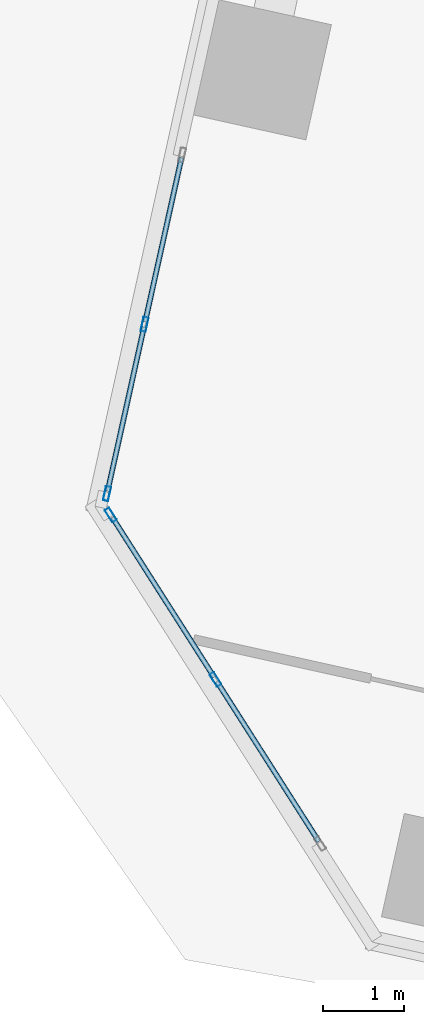
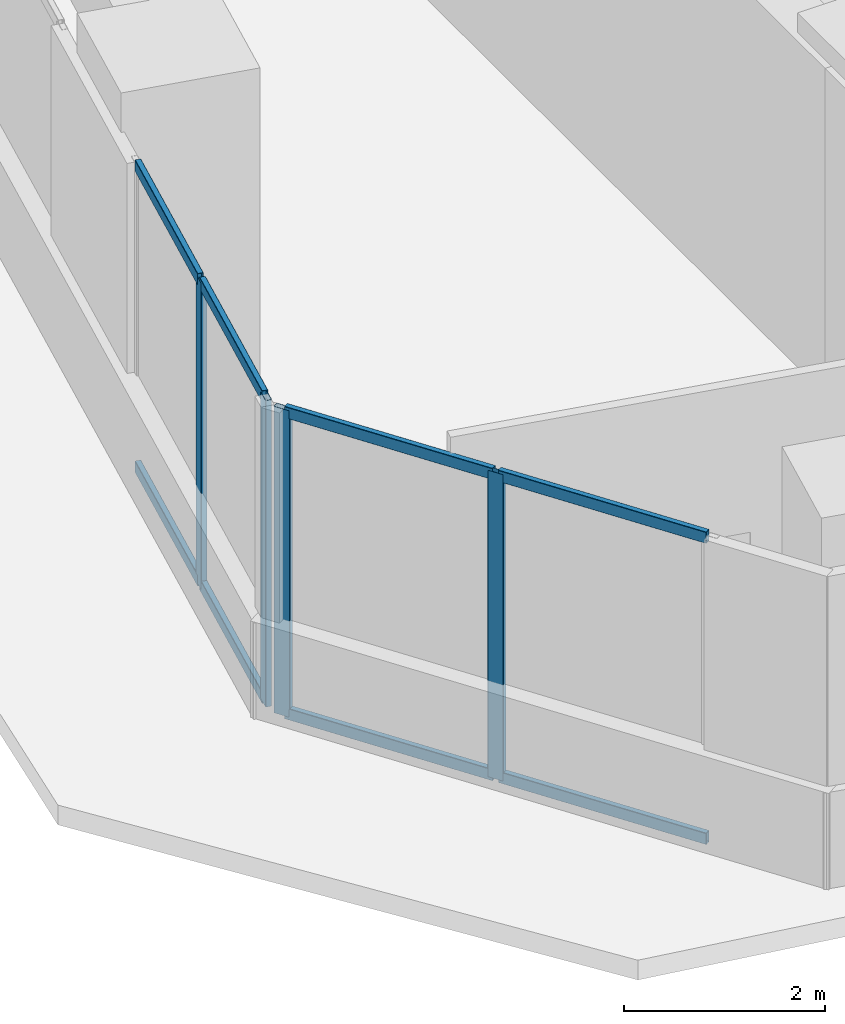
# One storey, part 3 of 25: 12 members, 2 elements without a shape of their own.
"""IFC4 building model written with IfcOpenShell, lengths in metres."""

from ifc_helpers import new_model, si_unit, direction, frame, origin, origin_2d, place, context, subcontext, project, spatial, hollow_rectangle, extrude, source, transform, mapped, material, material_profile, profile_set, type_object, element, aggregate, save


model = new_model("IFC4")

# Units and contexts
model_context = context("Model", 3, precision=1e-05, world=origin(), true_north=direction((0.0, 1.0)))
body_context = subcontext(model_context, "Body", "Model", "MODEL_VIEW")
ifc_project = project(units=[si_unit("LENGTHUNIT", "METRE"), si_unit("AREAUNIT", "SQUARE_METRE"), si_unit("VOLUMEUNIT", "CUBIC_METRE"), si_unit("PLANEANGLEUNIT", "RADIAN"), si_unit("MASSUNIT", "GRAM", prefix="KILO")], contexts=[model_context])

# Site, building, storey
site_placement = place(None, origin())
site = spatial("IfcSite", under=ifc_project, at=site_placement, CompositionType="ELEMENT")
building_placement = place(site_placement, origin())
building = spatial("IfcBuilding", under=site, at=building_placement, Name="Torre Montelarca", CompositionType="ELEMENT")
storey_placement = place(building_placement, frame((0.0, 0.0, 87.39990234375)))
storey = spatial("IfcBuildingStorey", under=building, at=storey_placement, Name="L19", CompositionType="ELEMENT", Elevation=87.39990234375)

# Curtain wall, members
ifc_material_1 = material(Name="Insulated low-E laminated glass", Category="glass")
curtain_wall_type = type_object("IfcCurtainWallType", Name="CW-SYS-Z1", PredefinedType="USERDEFINED", material=ifc_material_1)
curtain_wall_1_placement = place(storey_placement, origin())
curtain_wall_1 = element("IfcCurtainWall", 1, at=curtain_wall_1_placement, inside=storey, type_object=curtain_wall_type, Name="L19 Curtain Wall Run CW-T3-L19-E10-B3", ObjectType="UNITISED GLAZING", PredefinedType="USERDEFINED")
ifc_material_2 = material(Name="Anodised aluminium AA 6063-T6", Category="aluminium")
ifc_material_profile_1 = material_profile(ifc_material_2, hollow_rectangle(XDim=0.06494140625, YDim=0.139892578125, WallThickness=0.00390625, InnerFilletRadius=0.00390625, OuterFilletRadius=0.008056640625, at=origin_2d()), Name="ALU65X140X4", Category="aluminium")
ifc_profile_set_1 = profile_set([ifc_material_profile_1], Name="Anodised aluminium AA 6063-T6")
member_type_1 = type_object("IfcMemberType", Name="CWT-ALU140", PredefinedType="USERDEFINED", material=ifc_profile_set_1)
shared_shape_1 = source(origin(), body_context, "Body", "SweptSolid", [
    extrude(hollow_rectangle(XDim=0.06494140625, YDim=0.139892578125, WallThickness=0.00390625, InnerFilletRadius=0.00390625, OuterFilletRadius=0.008056640625, at=origin_2d()), origin(), (0.0, 0.0, 1.0), 2.067138671875),
])
member_1_placement = place(storey_placement, frame((2.340087890625, 26.75244140625, 0.03271484375), z_axis=(-0.216492740091, -0.976284227819, 0.0), x_axis=(0.976284227819, -0.216492740091, 0.0)))
member_1 = element("IfcMember", 2, at=member_1_placement, type_object=member_type_1, Name="CW transom 1.1", ObjectType="TRANSOM", PredefinedType="USERDEFINED", context=body_context, shape_type="MappedRepresentation", body=[
    mapped(shared_shape_1, transform((0.0, 0.0, 0.0), scale=1.0)),
])
member_2_placement = place(storey_placement, frame((2.340087890625, 26.75244140625, 3.6875), z_axis=(-0.216492740091, -0.976284227819, 0.0), x_axis=(0.976284227819, -0.216492740091, 0.0)))
member_2 = element("IfcMember", 3, at=member_2_placement, type_object=member_type_1, Name="CW transom 1.2", ObjectType="TRANSOM", PredefinedType="USERDEFINED", context=body_context, shape_type="MappedRepresentation", body=[
    mapped(shared_shape_1, transform((0.0, 0.0, 0.0), scale=1.0)),
])
member_3_placement = place(storey_placement, frame((1.878662109375, 24.6708984375, 0.03271484375), z_axis=(-0.216492740091, -0.976284227819, 0.0), x_axis=(0.976284227819, -0.216492740091, 0.0)))
member_3 = element("IfcMember", 4, at=member_3_placement, type_object=member_type_1, Name="CW transom 2.1", ObjectType="TRANSOM", PredefinedType="USERDEFINED", context=body_context, shape_type="MappedRepresentation", body=[
    mapped(shared_shape_1, transform((0.0, 0.0, 0.0), scale=1.0)),
])
member_4_placement = place(storey_placement, frame((1.878662109375, 24.6708984375, 3.6875), z_axis=(-0.216492740091, -0.976284227819, 0.0), x_axis=(0.976284227819, -0.216492740091, 0.0)))
member_4 = element("IfcMember", 5, at=member_4_placement, type_object=member_type_1, Name="CW transom 2.2", ObjectType="TRANSOM", PredefinedType="USERDEFINED", context=body_context, shape_type="MappedRepresentation", body=[
    mapped(shared_shape_1, transform((0.0, 0.0, 0.0), scale=1.0)),
])

curtain_wall_2_placement = place(storey_placement, origin())
curtain_wall_2 = element("IfcCurtainWall", 6, at=curtain_wall_2_placement, inside=storey, type_object=curtain_wall_type, Name="L19 Curtain Wall Run CW-T3-L19-E11-B1", ObjectType="UNITISED GLAZING", PredefinedType="USERDEFINED")
shared_shape_2 = source(origin(), body_context, "Body", "SweptSolid", [
    extrude(hollow_rectangle(XDim=0.06494140625, YDim=0.139892578125, WallThickness=0.00390625, InnerFilletRadius=0.00390625, OuterFilletRadius=0.008056640625, at=origin_2d()), origin(), (0.0, 0.0, 1.0), 2.330322265625),
])
member_5_placement = place(storey_placement, frame((1.488037109375, 22.330810546875, 0.03271484375), z_axis=(0.537343157613, -0.84336370029, 0.0), x_axis=(0.84336370029, 0.537343157613, 0.0)))
member_5 = element("IfcMember", 7, at=member_5_placement, type_object=member_type_1, Name="CW transom 1.1", ObjectType="TRANSOM", PredefinedType="USERDEFINED", context=body_context, shape_type="MappedRepresentation", body=[
    mapped(shared_shape_2, transform((0.0, 0.0, 0.0), scale=1.0)),
])
member_6_placement = place(storey_placement, frame((1.488037109375, 22.330810546875, 3.6875), z_axis=(0.537343157613, -0.84336370029, 0.0), x_axis=(0.84336370029, 0.537343157613, 0.0)))
member_6 = element("IfcMember", 8, at=member_6_placement, type_object=member_type_1, Name="CW transom 1.2", ObjectType="TRANSOM", PredefinedType="USERDEFINED", context=body_context, shape_type="MappedRepresentation", body=[
    mapped(shared_shape_2, transform((0.0, 0.0, 0.0), scale=1.0)),
])
shared_shape_3 = source(origin(), body_context, "Body", "SweptSolid", [
    extrude(hollow_rectangle(XDim=0.06494140625, YDim=0.139892578125, WallThickness=0.00390625, InnerFilletRadius=0.00390625, OuterFilletRadius=0.008056640625, at=origin_2d()), origin(), (0.0, 0.0, 1.0), 2.33056640625),
])
member_7_placement = place(storey_placement, frame((2.775146484375, 20.310546875, 0.03271484375), z_axis=(0.537295683696, -0.843393946078, 0.0), x_axis=(0.843393946078, 0.537295683696, 0.0)))
member_7 = element("IfcMember", 9, at=member_7_placement, type_object=member_type_1, Name="CW transom 2.1", ObjectType="TRANSOM", PredefinedType="USERDEFINED", context=body_context, shape_type="MappedRepresentation", body=[
    mapped(shared_shape_3, transform((0.0, 0.0, 0.0), scale=1.0)),
])
member_8_placement = place(storey_placement, frame((2.775146484375, 20.310546875, 3.6875), z_axis=(0.537295683696, -0.843393946078, 0.0), x_axis=(0.843393946078, 0.537295683696, 0.0)))
member_8 = element("IfcMember", 10, at=member_8_placement, type_object=member_type_1, Name="CW transom 2.2", ObjectType="TRANSOM", PredefinedType="USERDEFINED", context=body_context, shape_type="MappedRepresentation", body=[
    mapped(shared_shape_3, transform((0.0, 0.0, 0.0), scale=1.0)),
])

# Member
ifc_material_profile_2 = material_profile(ifc_material_2, hollow_rectangle(XDim=0.06494140625, YDim=0.179931640625, WallThickness=0.00390625, InnerFilletRadius=0.00390625, OuterFilletRadius=0.008056640625, at=origin_2d()), Name="ALU65X180X4", Category="aluminium")
ifc_profile_set_2 = profile_set([ifc_material_profile_2], Name="Anodised aluminium AA 6063-T6")
member_type_2 = type_object("IfcMemberType", Name="CWM-ALU180", PredefinedType="MULLION", material=ifc_profile_set_2)
shared_shape_4 = source(origin(), body_context, "Body", "SweptSolid", [
    extrude(hollow_rectangle(XDim=0.06494140625, YDim=0.179931640625, WallThickness=0.00390625, InnerFilletRadius=0.00390625, OuterFilletRadius=0.008056640625, at=origin_2d()), origin(), (0.0, 0.0, 1.0), 3.72021484375),
])
member_9_placement = place(storey_placement, frame((1.8857421875, 24.70263671875, 0.0), z_axis=(0.0, 0.0, 1.0), x_axis=(0.976291841567, -0.216458402676, 0.0)))
member_9 = element("IfcMember", 11, at=member_9_placement, type_object=member_type_2, Name="CW mullion 2", PredefinedType="MULLION", context=body_context, shape_type="MappedRepresentation", body=[
    mapped(shared_shape_4, transform((0.0, 0.0, 0.0), scale=1.0)),
])

member_10_placement = place(storey_placement, frame((1.424072265625, 22.62109375, 0.0), z_axis=(0.0, 0.0, 1.0), x_axis=(0.976291841567, -0.216458402676, 0.0)))
member_10 = element("IfcMember", 12, at=member_10_placement, type_object=member_type_2, Name="CW mullion 3", PredefinedType="MULLION", context=body_context, shape_type="MappedRepresentation", body=[
    mapped(shared_shape_4, transform((0.0, 0.0, 0.0), scale=1.0)),
])

aggregate(curtain_wall_1, [member_9, member_10, member_1, member_2, member_3, member_4])

member_11_placement = place(storey_placement, frame((1.470458984375, 22.3583984375, 0.0), z_axis=(0.0, 0.0, 1.0), x_axis=(0.84338409726, 0.537311143091, 0.0)))
member_11 = element("IfcMember", 13, at=member_11_placement, type_object=member_type_2, Name="CW mullion 1", PredefinedType="MULLION", context=body_context, shape_type="MappedRepresentation", body=[
    mapped(shared_shape_4, transform((0.0, 0.0, 0.0), scale=1.0)),
])

member_12_placement = place(storey_placement, frame((2.757568359375, 20.337890625, 0.0), z_axis=(0.0, 0.0, 1.0), x_axis=(0.84338409726, 0.537311143091, 0.0)))
member_12 = element("IfcMember", 14, at=member_12_placement, type_object=member_type_2, Name="CW mullion 2", PredefinedType="MULLION", context=body_context, shape_type="MappedRepresentation", body=[
    mapped(shared_shape_4, transform((0.0, 0.0, 0.0), scale=1.0)),
])

aggregate(curtain_wall_2, [member_11, member_12, member_5, member_6, member_7, member_8])

save(model, "model.ifc")
